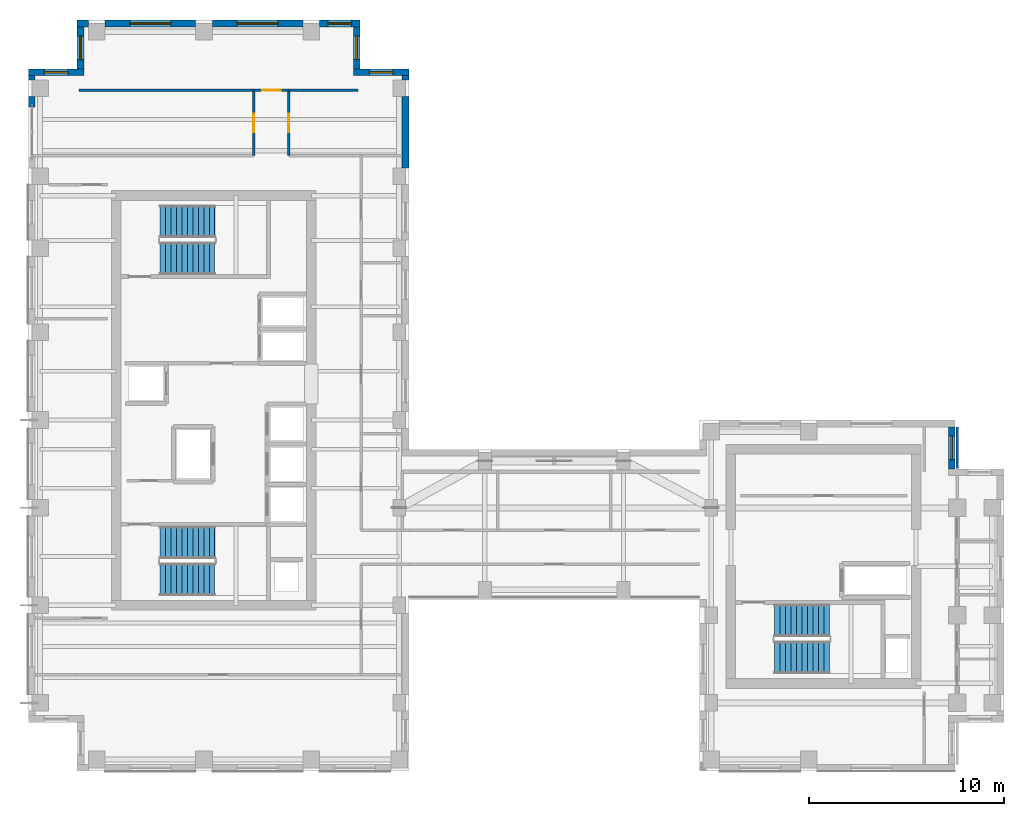
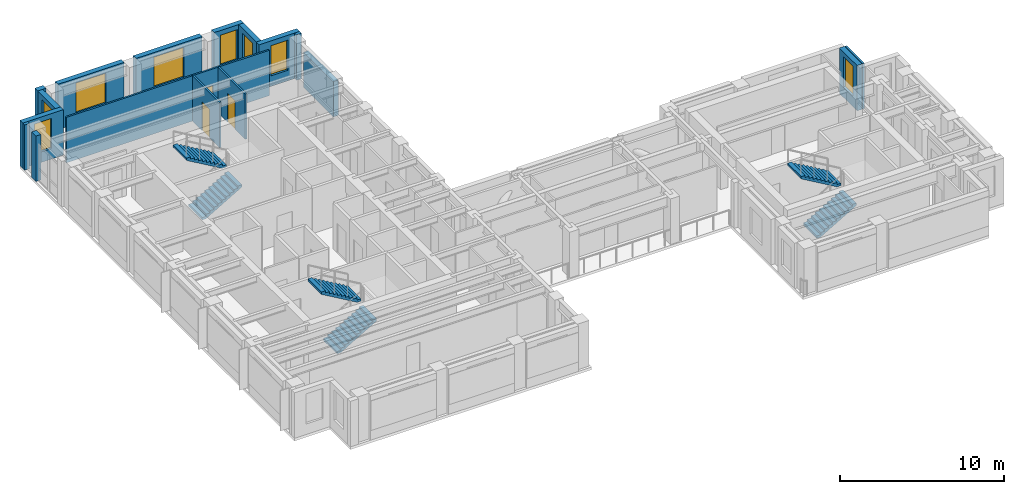
# One storey, part 10 of 13: 19 walls, 8 windows, 6 stair flights, 3 doors, 11 openings, 3 elements without a shape of their own.
"""IFC4 building model written with IfcOpenShell, lengths in metres."""

from ifc_helpers import new_model, si_unit, direction, frame, frame_2d, origin, place, context, subcontext, project, spatial, polyline, rectangle, outline, extrude, source, transform, mapped, material, layer, layer_set, type_object, element, fill, aggregate, save


model = new_model("IFC4")

# Units and contexts
model_context = context("Model", 3, precision=1e-05, world=origin(), true_north=direction((0.0, 1.0)))
body_context = subcontext(model_context, "Body", "Model", "MODEL_VIEW")
ifc_project = project(units=[si_unit("LENGTHUNIT", "METRE"), si_unit("AREAUNIT", "SQUARE_METRE"), si_unit("VOLUMEUNIT", "CUBIC_METRE"), si_unit("PLANEANGLEUNIT", "RADIAN"), si_unit("MASSUNIT", "GRAM", prefix="KILO")], contexts=[model_context])

# Site, building, storey
site_placement = place(None, origin())
site = spatial("IfcSite", under=ifc_project, at=site_placement, CompositionType="ELEMENT")
building_placement = place(site_placement, origin())
building = spatial("IfcBuilding", under=site, at=building_placement, Name="Kharzan Plaza Tower", CompositionType="ELEMENT")
storey_placement = place(building_placement, frame((0.0, 0.0, 244.800048828125)))
storey = spatial("IfcBuildingStorey", under=building, at=storey_placement, Name="L66", CompositionType="ELEMENT", Elevation=244.800048828125)

# Wall, opening, window
ifc_material_1 = material(Name="Concrete C40/50", Category="concrete")
ifc_layer_1 = layer(ifc_material_1, 0.35009765625)
ifc_layer_set_1 = layer_set([ifc_layer_1], Name="Concrete C40/50")
wall_type_1 = type_object("IfcWallType", Name="WL-EXT-MAS-Z4", PredefinedType="SOLIDWALL", material=ifc_layer_set_1)
wall_1_placement = place(storey_placement, frame((19.5, 35.824951171875, 0.0), z_axis=(0.0, 0.0, 1.0), x_axis=(-1.0, 0.0, 0.0)))
wall_1 = element("IfcWall", 1, at=wall_1_placement, inside=storey, type_object=wall_type_1, Name="L66 Masonry-Frame Exterior Wall 07", PredefinedType="SOLIDWALL", context=body_context, shape_type="SweptSolid", body=[
    extrude(rectangle(XDim=2.85009765625, YDim=0.35009765625, at=frame_2d((1.425048828125, 0.0))), origin(), (0.0, 0.0, 1.0), 3.385009765625),
])
opening_1_placement = place(wall_1_placement, frame((0.824951171875, 0.0, 0.780029296875)))
opening_1 = element("IfcOpeningElement", 2, at=opening_1_placement, cuts=wall_1, Name="Opening W3", PredefinedType="OPENING", context=body_context, shape_type="SweptSolid", body=[
    extrude(rectangle(XDim=1.199951171875, YDim=2.25, at=frame_2d((0.60009765625, 1.125))), frame((0.0, 0.18505859375, 0.0), z_axis=(0.0, -1.0, 0.0), x_axis=(1.0, 0.0, 0.0)), (0.0, 0.0, 1.0), 0.3701171875),
])
ifc_material_2 = material(Name="Low-E Double Glazing", Category="glass")
window_type_1 = type_object("IfcWindowType", Name="WN-REC-1200x2100", PartitioningType="SINGLE_PANEL", PredefinedType="WINDOW", material=ifc_material_2)
shared_shape_1 = source(origin(), body_context, "Body", "SweptSolid", [
    extrude(rectangle(XDim=1.199951171875, YDim=2.25, at=frame_2d((0.60009765625, 1.125))), frame((0.0, 0.030029296875, 0.0), z_axis=(0.0, -1.0, 0.0), x_axis=(1.0, 0.0, 0.0)), (0.0, 0.0, 1.0), 0.06005859375),
])
window_1_placement = place(opening_1_placement, origin())
window_1 = element("IfcWindow", 3, at=window_1_placement, inside=storey, type_object=window_type_1, Name="L66 Recessed Solar-Control Window 07-1", OverallHeight=2.25, OverallWidth=1.199951171875, PartitioningType="SINGLE_PANEL", PredefinedType="WINDOW", context=body_context, shape_type="MappedRepresentation", body=[
    mapped(shared_shape_1, transform((0.0, 0.0, 0.0), x_axis=(1.0, 0.0, 0.0), y_axis=(0.0, 1.0, 0.0), z_axis=(0.0, 0.0, 1.0))),
])
fill(opening_1, window_1)

wall_2_placement = place(storey_placement, frame((16.824951171875, 35.998046875, 0.0), z_axis=(0.0, 0.0, 1.0), x_axis=(0.0, 1.0, 0.0)))
wall_2 = element("IfcWall", 4, at=wall_2_placement, inside=storey, type_object=wall_type_1, Name="L66 Masonry-Frame Exterior Wall 08", PredefinedType="SOLIDWALL", context=body_context, shape_type="SweptSolid", body=[
    extrude(rectangle(XDim=2.154052734375, YDim=0.35009765625, at=frame_2d((1.0771484375, 0.0))), origin(), (0.0, 0.0, 1.0), 3.385009765625),
])
opening_2_placement = place(wall_2_placement, frame((0.47705078125, 0.0, 0.780029296875)))
opening_2 = element("IfcOpeningElement", 5, at=opening_2_placement, cuts=wall_2, Name="Opening W3", PredefinedType="OPENING", context=body_context, shape_type="SweptSolid", body=[
    extrude(rectangle(XDim=1.199951171875, YDim=2.25, at=frame_2d((0.60009765625, 1.125))), frame((0.0, 0.18505859375, 0.0), z_axis=(0.0, -1.0, 0.0), x_axis=(1.0, 0.0, 0.0)), (0.0, 0.0, 1.0), 0.3701171875),
])
window_2_placement = place(opening_2_placement, origin())
window_2 = element("IfcWindow", 6, at=window_2_placement, inside=storey, type_object=window_type_1, Name="L66 Recessed Solar-Control Window 08-1", OverallHeight=2.25, OverallWidth=1.199951171875, PartitioningType="SINGLE_PANEL", PredefinedType="WINDOW", context=body_context, shape_type="MappedRepresentation", body=[
    mapped(shared_shape_1, transform((0.0, 0.0, 0.0), x_axis=(1.0, 0.0, 0.0), y_axis=(0.0, 1.0, 0.0), z_axis=(0.0, 0.0, 1.0))),
])
fill(opening_2, window_2)

wall_3_placement = place(storey_placement, frame((17.0, 38.324951171875, 0.0), z_axis=(0.0, 0.0, 1.0), x_axis=(-1.0, 0.0, 0.0)))
wall_3 = element("IfcWall", 7, at=wall_3_placement, inside=storey, type_object=wall_type_1, Name="L66 Masonry-Frame Exterior Wall 09", PredefinedType="SOLIDWALL", context=body_context, shape_type="SweptSolid", body=[
    extrude(rectangle(XDim=2.076904296875, YDim=0.35009765625, at=frame_2d((1.03857421875, 0.0))), origin(), (0.0, 0.0, 1.0), 3.385009765625),
])
opening_3_placement = place(wall_3_placement, frame((0.4384765625, 0.0, 0.780029296875)))
opening_3 = element("IfcOpeningElement", 8, at=opening_3_placement, cuts=wall_3, Name="Opening W3", PredefinedType="OPENING", context=body_context, shape_type="SweptSolid", body=[
    extrude(rectangle(XDim=1.199951171875, YDim=2.25, at=frame_2d((0.60009765625, 1.125))), frame((0.0, 0.18505859375, 0.0), z_axis=(0.0, -1.0, 0.0), x_axis=(1.0, 0.0, 0.0)), (0.0, 0.0, 1.0), 0.3701171875),
])
window_3_placement = place(opening_3_placement, origin())
window_3 = element("IfcWindow", 9, at=window_3_placement, inside=storey, type_object=window_type_1, Name="L66 Recessed Solar-Control Window 09-1", OverallHeight=2.25, OverallWidth=1.199951171875, PartitioningType="SINGLE_PANEL", PredefinedType="WINDOW", context=body_context, shape_type="MappedRepresentation", body=[
    mapped(shared_shape_1, transform((0.0, 0.0, 0.0), x_axis=(1.0, 0.0, 0.0), y_axis=(0.0, 1.0, 0.0), z_axis=(0.0, 0.0, 1.0))),
])
fill(opening_3, window_3)

wall_4_placement = place(storey_placement, frame((14.076904296875, 38.324951171875, 0.0), z_axis=(0.0, 0.0, 1.0), x_axis=(-1.0, 0.0, 0.0)))
wall_4 = element("IfcWall", 10, at=wall_4_placement, inside=storey, type_object=wall_type_1, Name="L66 Masonry-Frame Exterior Wall 10", PredefinedType="SOLIDWALL", context=body_context, shape_type="SweptSolid", body=[
    extrude(rectangle(XDim=4.65380859375, YDim=0.35009765625, at=frame_2d((2.326904296875, 0.0))), origin(), (0.0, 0.0, 1.0), 3.385009765625),
])
opening_4_placement = place(wall_4_placement, frame((1.277099609375, 0.0, 0.780029296875)))
opening_4 = element("IfcOpeningElement", 11, at=opening_4_placement, cuts=wall_4, Name="Opening W6", PredefinedType="OPENING", context=body_context, shape_type="SweptSolid", body=[
    extrude(rectangle(XDim=2.10009765625, YDim=2.25, at=frame_2d((1.050048828125, 1.125))), frame((0.0, 0.18505859375, 0.0), z_axis=(0.0, -1.0, 0.0), x_axis=(1.0, 0.0, 0.0)), (0.0, 0.0, 1.0), 0.3701171875),
])
window_type_2 = type_object("IfcWindowType", Name="WN-EXEC-2100x2250", PartitioningType="SINGLE_PANEL", PredefinedType="WINDOW", material=ifc_material_2)
shared_shape_2 = source(origin(), body_context, "Body", "SweptSolid", [
    extrude(rectangle(XDim=2.10009765625, YDim=2.25, at=frame_2d((1.050048828125, 1.125))), frame((0.0, 0.030029296875, 0.0), z_axis=(0.0, -1.0, 0.0), x_axis=(1.0, 0.0, 0.0)), (0.0, 0.0, 1.0), 0.06005859375),
])
window_4_placement = place(opening_4_placement, origin())
window_4 = element("IfcWindow", 12, at=window_4_placement, inside=storey, type_object=window_type_2, Name="L66 Recessed Solar-Control Window 10-1", OverallHeight=2.25, OverallWidth=2.10009765625, PartitioningType="SINGLE_PANEL", PredefinedType="WINDOW", context=body_context, shape_type="MappedRepresentation", body=[
    mapped(shared_shape_2, transform((0.0, 0.0, 0.0), x_axis=(1.0, 0.0, 0.0), y_axis=(0.0, 1.0, 0.0), z_axis=(0.0, 0.0, 1.0))),
])
fill(opening_4, window_4)

wall_5_placement = place(storey_placement, frame((8.576904296875, 38.324951171875, 0.0), z_axis=(0.0, 0.0, 1.0), x_axis=(-1.0, 0.0, 0.0)))
wall_5 = element("IfcWall", 13, at=wall_5_placement, inside=storey, type_object=wall_type_1, Name="L66 Masonry-Frame Exterior Wall 11", PredefinedType="SOLIDWALL", context=body_context, shape_type="SweptSolid", body=[
    extrude(rectangle(XDim=4.65380859375, YDim=0.35009765625, at=frame_2d((2.326904296875, 0.0))), origin(), (0.0, 0.0, 1.0), 3.385009765625),
])
opening_5_placement = place(wall_5_placement, frame((1.277099609375, 0.0, 0.780029296875)))
opening_5 = element("IfcOpeningElement", 14, at=opening_5_placement, cuts=wall_5, Name="Opening W6", PredefinedType="OPENING", context=body_context, shape_type="SweptSolid", body=[
    extrude(rectangle(XDim=2.10009765625, YDim=2.25, at=frame_2d((1.050048828125, 1.125))), frame((0.0, 0.18505859375, 0.0), z_axis=(0.0, -1.0, 0.0), x_axis=(1.0, 0.0, 0.0)), (0.0, 0.0, 1.0), 0.3701171875),
])
window_5_placement = place(opening_5_placement, origin())
window_5 = element("IfcWindow", 15, at=window_5_placement, inside=storey, type_object=window_type_2, Name="L66 Recessed Solar-Control Window 11-1", OverallHeight=2.25, OverallWidth=2.10009765625, PartitioningType="SINGLE_PANEL", PredefinedType="WINDOW", context=body_context, shape_type="MappedRepresentation", body=[
    mapped(shared_shape_2, transform((0.0, 0.0, 0.0), x_axis=(1.0, 0.0, 0.0), y_axis=(0.0, 1.0, 0.0), z_axis=(0.0, 0.0, 1.0))),
])
fill(opening_5, window_5)

wall_6_placement = place(storey_placement, frame((2.675048828125, 38.152099609375, 0.0), z_axis=(0.0, 0.0, 1.0), x_axis=(0.0, -1.0, 0.0)))
wall_6 = element("IfcWall", 16, at=wall_6_placement, inside=storey, type_object=wall_type_1, Name="L66 Masonry-Frame Exterior Wall 13", PredefinedType="SOLIDWALL", context=body_context, shape_type="SweptSolid", body=[
    extrude(rectangle(XDim=2.154052734375, YDim=0.35009765625, at=frame_2d((1.0771484375, 0.0))), origin(), (0.0, 0.0, 1.0), 3.385009765625),
])
opening_6_placement = place(wall_6_placement, frame((0.47705078125, 0.0, 0.780029296875)))
opening_6 = element("IfcOpeningElement", 17, at=opening_6_placement, cuts=wall_6, Name="Opening W3", PredefinedType="OPENING", context=body_context, shape_type="SweptSolid", body=[
    extrude(rectangle(XDim=1.199951171875, YDim=2.25, at=frame_2d((0.60009765625, 1.125))), frame((0.0, 0.18505859375, 0.0), z_axis=(0.0, -1.0, 0.0), x_axis=(1.0, 0.0, 0.0)), (0.0, 0.0, 1.0), 0.3701171875),
])
window_6_placement = place(opening_6_placement, origin())
window_6 = element("IfcWindow", 18, at=window_6_placement, inside=storey, type_object=window_type_1, Name="L66 Recessed Solar-Control Window 13-1", OverallHeight=2.25, OverallWidth=1.199951171875, PartitioningType="SINGLE_PANEL", PredefinedType="WINDOW", context=body_context, shape_type="MappedRepresentation", body=[
    mapped(shared_shape_1, transform((0.0, 0.0, 0.0), x_axis=(1.0, 0.0, 0.0), y_axis=(0.0, 1.0, 0.0), z_axis=(0.0, 0.0, 1.0))),
])
fill(opening_6, window_6)

wall_7_placement = place(storey_placement, frame((2.85009765625, 35.824951171875, 0.0), z_axis=(0.0, 0.0, 1.0), x_axis=(-1.0, 0.0, 0.0)))
wall_7 = element("IfcWall", 19, at=wall_7_placement, inside=storey, type_object=wall_type_1, Name="L66 Masonry-Frame Exterior Wall 14", PredefinedType="SOLIDWALL", context=body_context, shape_type="SweptSolid", body=[
    extrude(rectangle(XDim=2.85009765625, YDim=0.35009765625, at=frame_2d((1.425048828125, 0.0))), origin(), (0.0, 0.0, 1.0), 3.385009765625),
])
opening_7_placement = place(wall_7_placement, frame((0.824951171875, 0.0, 0.780029296875)))
opening_7 = element("IfcOpeningElement", 20, at=opening_7_placement, cuts=wall_7, Name="Opening W3", PredefinedType="OPENING", context=body_context, shape_type="SweptSolid", body=[
    extrude(rectangle(XDim=1.199951171875, YDim=2.25, at=frame_2d((0.60009765625, 1.125))), frame((0.0, 0.18505859375, 0.0), z_axis=(0.0, -1.0, 0.0), x_axis=(1.0, 0.0, 0.0)), (0.0, 0.0, 1.0), 0.3701171875),
])
window_7_placement = place(opening_7_placement, origin())
window_7 = element("IfcWindow", 21, at=window_7_placement, inside=storey, type_object=window_type_1, Name="L66 Recessed Solar-Control Window 14-1", OverallHeight=2.25, OverallWidth=1.199951171875, PartitioningType="SINGLE_PANEL", PredefinedType="WINDOW", context=body_context, shape_type="MappedRepresentation", body=[
    mapped(shared_shape_1, transform((0.0, 0.0, 0.0), x_axis=(1.0, 0.0, 0.0), y_axis=(0.0, 1.0, 0.0), z_axis=(0.0, 0.0, 1.0))),
])
fill(opening_7, window_7)

wall_8_placement = place(storey_placement, frame((47.324951171875, 15.498046875, 0.0), z_axis=(0.0, 0.0, 1.0), x_axis=(0.0, 1.0, 0.0)))
wall_8 = element("IfcWall", 22, at=wall_8_placement, inside=storey, type_object=wall_type_1, Name="L66 Masonry-Frame Exterior Wall 45", PredefinedType="SOLIDWALL", context=body_context, shape_type="SweptSolid", body=[
    extrude(rectangle(XDim=2.154052734375, YDim=0.35009765625, at=frame_2d((1.0771484375, 0.0))), origin(), (0.0, 0.0, 1.0), 3.385009765625),
])
opening_8_placement = place(wall_8_placement, frame((0.47705078125, 0.0, 0.780029296875)))
opening_8 = element("IfcOpeningElement", 23, at=opening_8_placement, cuts=wall_8, Name="Opening W3", PredefinedType="OPENING", context=body_context, shape_type="SweptSolid", body=[
    extrude(rectangle(XDim=1.199951171875, YDim=2.25, at=frame_2d((0.60009765625, 1.125))), frame((0.0, 0.18505859375, 0.0), z_axis=(0.0, -1.0, 0.0), x_axis=(1.0, 0.0, 0.0)), (0.0, 0.0, 1.0), 0.3701171875),
])
window_8_placement = place(opening_8_placement, origin())
window_8 = element("IfcWindow", 24, at=window_8_placement, inside=storey, type_object=window_type_1, Name="L66 Recessed Solar-Control Window 45-1", OverallHeight=2.25, OverallWidth=1.199951171875, PartitioningType="SINGLE_PANEL", PredefinedType="WINDOW", context=body_context, shape_type="MappedRepresentation", body=[
    mapped(shared_shape_1, transform((0.0, 0.0, 0.0), x_axis=(1.0, 0.0, 0.0), y_axis=(0.0, 1.0, 0.0), z_axis=(0.0, 0.0, 1.0))),
])
fill(opening_8, window_8)

# Wall, opening, door
ifc_material_3 = material(Name="Fire-Rated Gypsum Board Partition", Category="gypsum")
ifc_layer_2 = layer(ifc_material_3, 0.125)
ifc_layer_set_2 = layer_set([ifc_layer_2], Name="Fire-Rated Gypsum Board Partition")
wall_type_2 = type_object("IfcWallType", Name="WL-INT-PART-125", PredefinedType="PARTITIONING", material=ifc_layer_set_2)
wall_9_placement = place(storey_placement, frame((13.35009765625, 31.550048828125, 0.0), z_axis=(0.0, 0.0, 1.0), x_axis=(0.0, 1.0, 0.0)))
wall_9 = element("IfcWall", 25, at=wall_9_placement, inside=storey, type_object=wall_type_2, Name="L66 Interior Partition SH-SPE-1", PredefinedType="PARTITIONING", context=body_context, shape_type="SweptSolid", body=[
    extrude(rectangle(XDim=3.349853515625, YDim=0.125, at=frame_2d((1.6748046875, 0.0))), origin(), (0.0, 0.0, 1.0), 3.385009765625),
])
opening_9_placement = place(wall_9_placement, frame((1.199951171875, 0.0, 0.0)))
opening_9 = element("IfcOpeningElement", 26, at=opening_9_placement, cuts=wall_9, Name="Opening OD1", PredefinedType="OPENING", context=body_context, shape_type="SweptSolid", body=[
    extrude(rectangle(XDim=0.949951171875, YDim=2.14990234375, at=frame_2d((0.47509765625, 1.074951171875))), frame((0.0, 0.072509765625, 0.0), z_axis=(0.0, -1.0, 0.0), x_axis=(1.0, 0.0, 0.0)), (0.0, 0.0, 1.0), 0.14501953125),
])
ifc_material_4 = material(Name="Acoustic Solid-Core Stained Oak", Category="timber")
door_type = type_object("IfcDoorType", Name="DR-OFF-SINGLE", OperationType="NOTDEFINED", PredefinedType="DOOR", material=ifc_material_4)
shared_shape_3 = source(origin(), body_context, "Body", "SweptSolid", [
    extrude(rectangle(XDim=0.949951171875, YDim=2.14990234375, at=frame_2d((0.47509765625, 1.074951171875))), frame((0.0, 0.02490234375, 0.0), z_axis=(0.0, -1.0, 0.0), x_axis=(1.0, 0.0, 0.0)), (0.0, 0.0, 1.0), 0.050048828125),
])
door_1_placement = place(opening_9_placement, origin())
door_1 = element("IfcDoor", 27, at=door_1_placement, inside=storey, type_object=door_type, Name="L66 Executive Tea Pantry Door", OperationType="SINGLE_SWING_RIGHT", OverallHeight=2.14990234375, OverallWidth=0.949951171875, PredefinedType="DOOR", context=body_context, shape_type="MappedRepresentation", body=[
    mapped(shared_shape_3, transform((0.0, 0.0, 0.0), x_axis=(1.0, 0.0, 0.0), y_axis=(0.0, 1.0, 0.0), z_axis=(0.0, 0.0, 1.0))),
])
fill(opening_9, door_1)

wall_10_placement = place(storey_placement, frame((11.550048828125, 34.89990234375, 0.0), z_axis=(0.0, 0.0, 1.0), x_axis=(1.0, 0.0, 0.0)))
wall_10 = element("IfcWall", 28, at=wall_10_placement, inside=storey, type_object=wall_type_2, Name="L66 Interior Partition SH-SPHD", PredefinedType="PARTITIONING", context=body_context, shape_type="SweptSolid", body=[
    extrude(rectangle(XDim=1.800048828125, YDim=0.125, at=frame_2d((0.89990234375, 0.0))), origin(), (0.0, 0.0, 1.0), 3.385009765625),
])
opening_10_placement = place(wall_10_placement, frame((0.425048828125, 0.0, 0.0)))
opening_10 = element("IfcOpeningElement", 29, at=opening_10_placement, cuts=wall_10, Name="Opening OD1", PredefinedType="OPENING", context=body_context, shape_type="SweptSolid", body=[
    extrude(rectangle(XDim=0.949951171875, YDim=2.14990234375, at=frame_2d((0.47509765625, 1.074951171875))), frame((0.0, 0.072509765625, 0.0), z_axis=(0.0, -1.0, 0.0), x_axis=(1.0, 0.0, 0.0)), (0.0, 0.0, 1.0), 0.14501953125),
])
door_2_placement = place(opening_10_placement, origin())
door_2 = element("IfcDoor", 30, at=door_2_placement, inside=storey, type_object=door_type, Name="L66 North Boardroom Door", OperationType="SINGLE_SWING_LEFT", OverallHeight=2.14990234375, OverallWidth=0.949951171875, PredefinedType="DOOR", context=body_context, shape_type="MappedRepresentation", body=[
    mapped(shared_shape_3, transform((0.0, 0.0, 0.0), x_axis=(1.0, 0.0, 0.0), y_axis=(0.0, 1.0, 0.0), z_axis=(0.0, 0.0, 1.0))),
])
fill(opening_10, door_2)

wall_11_placement = place(storey_placement, frame((11.550048828125, 31.550048828125, 0.0), z_axis=(0.0, 0.0, 1.0), x_axis=(0.0, 1.0, 0.0)))
wall_11 = element("IfcWall", 31, at=wall_11_placement, inside=storey, type_object=wall_type_2, Name="L66 Interior Partition SH-SPW-1", PredefinedType="PARTITIONING", context=body_context, shape_type="SweptSolid", body=[
    extrude(rectangle(XDim=3.349853515625, YDim=0.125, at=frame_2d((1.6748046875, 0.0))), origin(), (0.0, 0.0, 1.0), 3.385009765625),
])
opening_11_placement = place(wall_11_placement, frame((1.199951171875, 0.0, 0.0)))
opening_11 = element("IfcOpeningElement", 32, at=opening_11_placement, cuts=wall_11, Name="Opening OD1", PredefinedType="OPENING", context=body_context, shape_type="SweptSolid", body=[
    extrude(rectangle(XDim=0.949951171875, YDim=2.14990234375, at=frame_2d((0.47509765625, 1.074951171875))), frame((0.0, 0.072509765625, 0.0), z_axis=(0.0, -1.0, 0.0), x_axis=(1.0, 0.0, 0.0)), (0.0, 0.0, 1.0), 0.14501953125),
])
door_3_placement = place(opening_11_placement, origin())
door_3 = element("IfcDoor", 33, at=door_3_placement, inside=storey, type_object=door_type, Name="L66 Legal Research Office Door", OperationType="SINGLE_SWING_LEFT", OverallHeight=2.14990234375, OverallWidth=0.949951171875, PredefinedType="DOOR", context=body_context, shape_type="MappedRepresentation", body=[
    mapped(shared_shape_3, transform((0.0, 0.0, 0.0), x_axis=(1.0, 0.0, 0.0), y_axis=(0.0, 1.0, 0.0), z_axis=(0.0, 0.0, 1.0))),
])
fill(opening_11, door_3)

# Walls
shared_shape_4 = source(origin(), body_context, "Body", "SweptSolid", [
    extrude(rectangle(XDim=0.576904296875, YDim=0.35009765625, at=frame_2d((0.28857421875, 0.0))), origin(), (0.0, 0.0, 1.0), 3.385009765625),
])
wall_12_placement = place(storey_placement, frame((3.076904296875, 38.324951171875, 0.0), z_axis=(0.0, 0.0, 1.0), x_axis=(-1.0, 0.0, 0.0)))
element("IfcWall", 34, at=wall_12_placement, inside=storey, type_object=wall_type_1, Name="L66 Masonry-Frame Exterior Wall 12", PredefinedType="SOLIDWALL", context=body_context, shape_type="MappedRepresentation", body=[
    mapped(shared_shape_4, transform((0.0, 0.0, 0.0), x_axis=(1.0, 0.0, 0.0), y_axis=(0.0, 1.0, 0.0), z_axis=(0.0, 0.0, 1.0))),
])
shared_shape_5 = source(origin(), body_context, "Body", "SweptSolid", [
    extrude(rectangle(XDim=0.22900390625, YDim=0.35009765625, at=frame_2d((0.114501953125, 0.0))), origin(), (0.0, 0.0, 1.0), 3.385009765625),
])
for number, where, z_axis, x_axis, name in (
    (35, (19.324951171875, 35.423095703125, 0.0), (0.0, 0.0, 1.0), (0.0, 1.0, 0.0), "L66 Masonry-Frame Exterior Wall 06"),
    (36, (0.175048828125, 35.652099609375, 0.0), (0.0, 0.0, 1.0), (0.0, -1.0, 0.0), "L66 Masonry-Frame Exterior Wall 15"),
):
    element("IfcWall", number, at=place(storey_placement, frame(where, z_axis=z_axis, x_axis=x_axis)), inside=storey, type_object=wall_type_1, Name=name, PredefinedType="SOLIDWALL", context=body_context, shape_type="MappedRepresentation", body=[
        mapped(shared_shape_5, transform((0.0, 0.0, 0.0), x_axis=(1.0, 0.0, 0.0), y_axis=(0.0, 1.0, 0.0), z_axis=(0.0, 0.0, 1.0))),
    ])
shared_shape_6 = source(origin(), body_context, "Body", "SweptSolid", [
    extrude(rectangle(XDim=0.52685546875, YDim=0.35009765625, at=frame_2d((0.263427734375, 0.0))), origin(), (0.0, 0.0, 1.0), 3.385009765625),
])
wall_13_placement = place(storey_placement, frame((0.175048828125, 34.576904296875, 0.0), z_axis=(0.0, 0.0, 1.0), x_axis=(0.0, -1.0, 0.0)))
element("IfcWall", 37, at=wall_13_placement, inside=storey, type_object=wall_type_1, Name="L66 Masonry-Frame Exterior Wall 16", PredefinedType="SOLIDWALL", context=body_context, shape_type="MappedRepresentation", body=[
    mapped(shared_shape_6, transform((0.0, 0.0, 0.0), x_axis=(1.0, 0.0, 0.0), y_axis=(0.0, 1.0, 0.0), z_axis=(0.0, 0.0, 1.0))),
])
shared_shape_7 = source(origin(), body_context, "Body", "SweptSolid", [
    extrude(rectangle(XDim=2.14794921875, YDim=0.125, at=frame_2d((1.073974609375, 0.0))), origin(), (0.0, 0.0, 1.0), 3.385009765625),
])
wall_14_placement = place(storey_placement, frame((47.60009765625, 15.501953125, 0.0), z_axis=(0.0, 0.0, 1.0), x_axis=(0.0, 1.0, 0.0)))
element("IfcWall", 38, at=wall_14_placement, inside=storey, type_object=wall_type_2, Name="L66 Interior Partition SH-B3W2N", PredefinedType="PARTITIONING", context=body_context, shape_type="MappedRepresentation", body=[
    mapped(shared_shape_7, transform((0.0, 0.0, 0.0), x_axis=(1.0, 0.0, 0.0), y_axis=(0.0, 1.0, 0.0), z_axis=(0.0, 0.0, 1.0))),
])
shared_shape_8 = source(origin(), body_context, "Body", "SweptSolid", [
    extrude(rectangle(XDim=3.65380859375, YDim=0.35009765625, at=frame_2d((1.826904296875, 0.0))), origin(), (0.0, 0.0, 1.0), 2.618896484375),
])
wall_15_placement = place(storey_placement, frame((19.324951171875, 30.923095703125, 0.0), z_axis=(0.0, 0.0, 1.0), x_axis=(0.0, 1.0, 0.0)))
element("IfcWall", 39, at=wall_15_placement, inside=storey, type_object=wall_type_1, Name="L66 Masonry-Frame Exterior Wall 05", PredefinedType="SOLIDWALL", context=body_context, shape_type="MappedRepresentation", body=[
    mapped(shared_shape_8, transform((0.0, 0.0, 0.0), x_axis=(1.0, 0.0, 0.0), y_axis=(0.0, 1.0, 0.0), z_axis=(0.0, 0.0, 1.0))),
])
shared_shape_9 = source(origin(), body_context, "Body", "SweptSolid", [
    extrude(rectangle(XDim=3.5498046875, YDim=0.125, at=frame_2d((1.77490234375, 0.0))), origin(), (0.0, 0.0, 1.0), 3.385009765625),
])
wall_16_placement = place(storey_placement, frame((13.35009765625, 34.89990234375, 0.0), z_axis=(0.0, 0.0, 1.0), x_axis=(1.0, 0.0, 0.0)))
element("IfcWall", 40, at=wall_16_placement, inside=storey, type_object=wall_type_2, Name="L66 Interior Partition SH-SPHE", PredefinedType="PARTITIONING", context=body_context, shape_type="MappedRepresentation", body=[
    mapped(shared_shape_9, transform((0.0, 0.0, 0.0), x_axis=(1.0, 0.0, 0.0), y_axis=(0.0, 1.0, 0.0), z_axis=(0.0, 0.0, 1.0))),
])
shared_shape_10 = source(origin(), body_context, "Body", "SweptSolid", [
    extrude(rectangle(XDim=8.949951171875, YDim=0.125, at=frame_2d((4.47509765625, 0.0))), origin(), (0.0, 0.0, 1.0), 3.385009765625),
])
wall_17_placement = place(storey_placement, frame((2.60009765625, 34.89990234375, 0.0), z_axis=(0.0, 0.0, 1.0), x_axis=(1.0, 0.0, 0.0)))
element("IfcWall", 41, at=wall_17_placement, inside=storey, type_object=wall_type_2, Name="L66 Interior Partition SH-SPHW", PredefinedType="PARTITIONING", context=body_context, shape_type="MappedRepresentation", body=[
    mapped(shared_shape_10, transform((0.0, 0.0, 0.0), x_axis=(1.0, 0.0, 0.0), y_axis=(0.0, 1.0, 0.0), z_axis=(0.0, 0.0, 1.0))),
])

# Stair, stair flights
stair_type_1 = type_object("IfcStairType", Name="STR-ST-1", PredefinedType="HALF_TURN_STAIR", material=ifc_material_1)
stair_1_placement = place(storey_placement, origin())
stair_1 = element("IfcStair", 42, at=stair_1_placement, inside=storey, type_object=stair_type_1, Name="L66 Protected Exit Stair ST-1", PredefinedType="HALF_TURN_STAIR")
stair_flight_type = type_object("IfcStairFlightType", Name="SFL-1650-R173", PredefinedType="STRAIGHT", material=ifc_material_1)
shared_shape_11 = source(origin(), body_context, "Body", "SweptSolid", [
    extrude(outline(polyline([(-0.0029296875, -0.011962890625), (-0.0029296875, 0.0), (0.0, 0.0), (0.0, 0.16357421875), (0.280029296875, 0.16357421875), (0.280029296875, 0.3271484375), (0.56005859375, 0.3271484375), (0.56005859375, 0.49072265625), (0.840087890625, 0.49072265625), (0.840087890625, 0.654296875), (1.1201171875, 0.654296875), (1.1201171875, 0.81787109375), (1.400146484375, 0.81787109375), (1.400146484375, 0.9814453125), (1.68017578125, 0.9814453125), (1.68017578125, 1.14501953125), (1.960205078125, 1.14501953125), (1.960205078125, 1.30859375), (2.240234375, 1.30859375), (2.240234375, 1.47216796875), (2.520263671875, 1.47216796875), (2.520263671875, 1.6357421875), (2.80029296875, 1.6357421875), (2.80029296875, 1.79931640625), (2.80029296875, 1.462158203125), (0.297119140625, 0.0), (0.297119140625, -0.011962890625), (-0.0029296875, -0.011962890625)])), frame((0.0, 0.824951171875, 0.0), z_axis=(0.0, -1.0, 0.0), x_axis=(1.0, 0.0, 0.0)), (0.0, 0.0, 1.0), 1.64990234375),
])
stair_flight_1_placement = place(storey_placement, frame((6.75, 9.824951171875, 0.0), z_axis=(0.0, 0.0, 1.0), x_axis=(1.0, 0.0, 0.0)))
stair_flight_1 = element("IfcStairFlight", 43, at=stair_flight_1_placement, type_object=stair_flight_type, Name="ST-1 flight 1", NumberOfRisers=11, NumberOfTreads=10, PredefinedType="STRAIGHT", RiserHeight=0.163636364, TreadLength=0.28, context=body_context, shape_type="MappedRepresentation", body=[
    mapped(shared_shape_11, transform((0.0, 0.0, 0.0), x_axis=(1.0, 0.0, 0.0), y_axis=(0.0, 1.0, 0.0), z_axis=(0.0, 0.0, 1.0))),
])
stair_flight_2_placement = place(storey_placement, frame((9.550048828125, 11.72509765625, 1.800048828125), z_axis=(0.0, 0.0, 1.0), x_axis=(-1.0, 0.0, 0.0)))
stair_flight_2 = element("IfcStairFlight", 44, at=stair_flight_2_placement, type_object=stair_flight_type, Name="ST-1 flight 2", NumberOfRisers=11, NumberOfTreads=10, PredefinedType="STRAIGHT", RiserHeight=0.163636364, TreadLength=0.28, context=body_context, shape_type="MappedRepresentation", body=[
    mapped(shared_shape_11, transform((0.0, 0.0, 0.0), x_axis=(1.0, 0.0, 0.0), y_axis=(0.0, 1.0, 0.0), z_axis=(0.0, 0.0, 1.0))),
])
aggregate(stair_1, [stair_flight_1, stair_flight_2])

stair_type_2 = type_object("IfcStairType", Name="STR-ST-2", PredefinedType="HALF_TURN_STAIR", material=ifc_material_1)
stair_2_placement = place(storey_placement, origin())
stair_2 = element("IfcStair", 45, at=stair_2_placement, inside=storey, type_object=stair_type_2, Name="L66 Protected Exit Stair ST-2", PredefinedType="HALF_TURN_STAIR")
stair_flight_3_placement = place(storey_placement, frame((6.75, 26.27490234375, 0.0), z_axis=(0.0, 0.0, 1.0), x_axis=(1.0, 0.0, 0.0)))
stair_flight_3 = element("IfcStairFlight", 46, at=stair_flight_3_placement, type_object=stair_flight_type, Name="ST-2 flight 1", NumberOfRisers=11, NumberOfTreads=10, PredefinedType="STRAIGHT", RiserHeight=0.163636364, TreadLength=0.28, context=body_context, shape_type="MappedRepresentation", body=[
    mapped(shared_shape_11, transform((0.0, 0.0, 0.0), x_axis=(1.0, 0.0, 0.0), y_axis=(0.0, 1.0, 0.0), z_axis=(0.0, 0.0, 1.0))),
])
stair_flight_4_placement = place(storey_placement, frame((9.550048828125, 28.175048828125, 1.800048828125), z_axis=(0.0, 0.0, 1.0), x_axis=(-1.0, 0.0, 0.0)))
stair_flight_4 = element("IfcStairFlight", 47, at=stair_flight_4_placement, type_object=stair_flight_type, Name="ST-2 flight 2", NumberOfRisers=11, NumberOfTreads=10, PredefinedType="STRAIGHT", RiserHeight=0.163636364, TreadLength=0.28, context=body_context, shape_type="MappedRepresentation", body=[
    mapped(shared_shape_11, transform((0.0, 0.0, 0.0), x_axis=(1.0, 0.0, 0.0), y_axis=(0.0, 1.0, 0.0), z_axis=(0.0, 0.0, 1.0))),
])
aggregate(stair_2, [stair_flight_3, stair_flight_4])

stair_type_3 = type_object("IfcStairType", Name="STR-ST-3", PredefinedType="HALF_TURN_STAIR", material=ifc_material_1)
stair_3_placement = place(storey_placement, origin())
stair_3 = element("IfcStair", 48, at=stair_3_placement, inside=storey, type_object=stair_type_3, Name="L66 Protected Exit Stair ST-3", PredefinedType="HALF_TURN_STAIR")
stair_flight_5_placement = place(storey_placement, frame((38.25, 5.824951171875, 0.0), z_axis=(0.0, 0.0, 1.0), x_axis=(1.0, 0.0, 0.0)))
stair_flight_5 = element("IfcStairFlight", 49, at=stair_flight_5_placement, type_object=stair_flight_type, Name="ST-3 flight 1", NumberOfRisers=11, NumberOfTreads=10, PredefinedType="STRAIGHT", RiserHeight=0.163636364, TreadLength=0.28, context=body_context, shape_type="MappedRepresentation", body=[
    mapped(shared_shape_11, transform((0.0, 0.0, 0.0), x_axis=(1.0, 0.0, 0.0), y_axis=(0.0, 1.0, 0.0), z_axis=(0.0, 0.0, 1.0))),
])
stair_flight_6_placement = place(storey_placement, frame((41.050048828125, 7.72509765625, 1.800048828125), z_axis=(0.0, 0.0, 1.0), x_axis=(-1.0, 0.0, 0.0)))
stair_flight_6 = element("IfcStairFlight", 50, at=stair_flight_6_placement, type_object=stair_flight_type, Name="ST-3 flight 2", NumberOfRisers=11, NumberOfTreads=10, PredefinedType="STRAIGHT", RiserHeight=0.163636364, TreadLength=0.28, context=body_context, shape_type="MappedRepresentation", body=[
    mapped(shared_shape_11, transform((0.0, 0.0, 0.0), x_axis=(1.0, 0.0, 0.0), y_axis=(0.0, 1.0, 0.0), z_axis=(0.0, 0.0, 1.0))),
])
aggregate(stair_3, [stair_flight_5, stair_flight_6])

save(model, "model.ifc")
